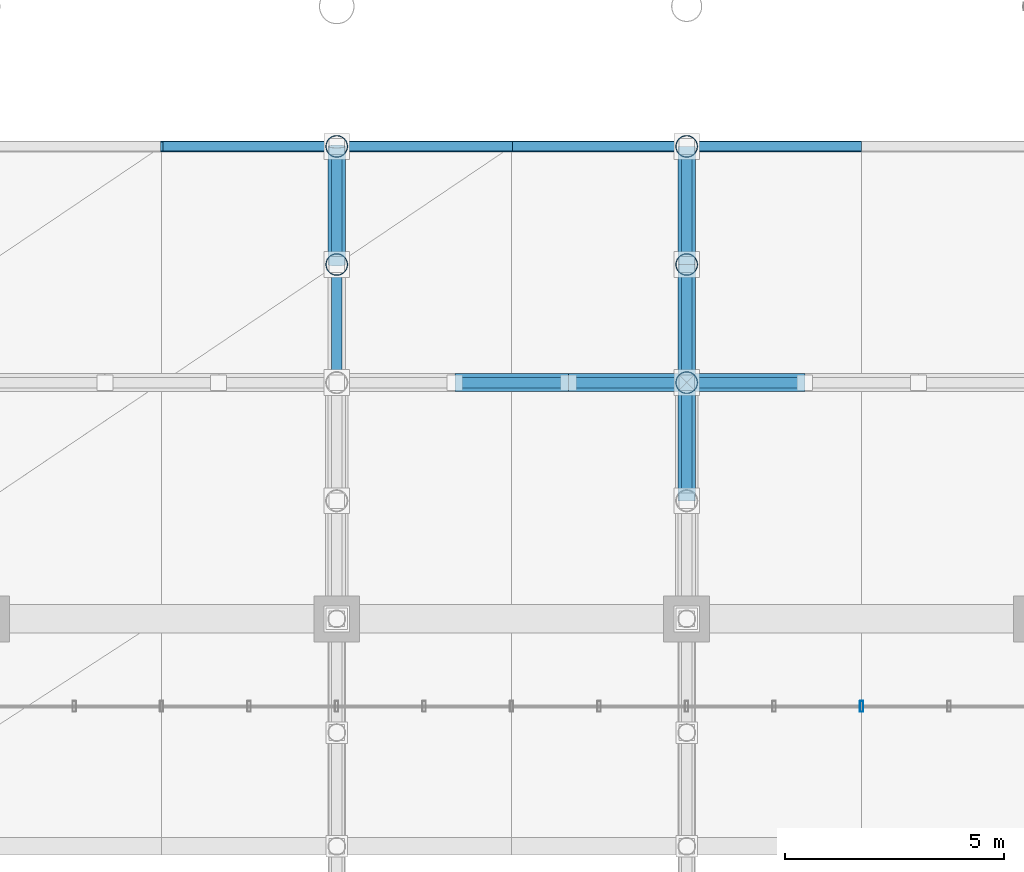
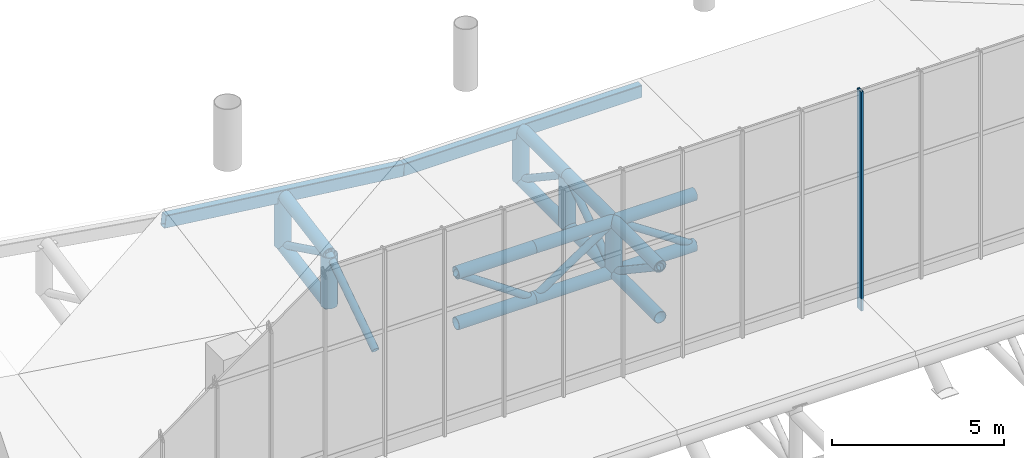
# One storey, part 51 of 137: 28 members, 2 beams, 1 element without a shape of its own.
"""IFC4 building model written with IfcOpenShell, lengths in metres."""

from ifc_helpers import new_model, si_unit, direction, frame, origin, origin_2d, place, context, subcontext, project, spatial, hollow_rectangle, hollow_circle, extrude, material, layer, layer_set, material_profile, profile_set, type_object, element, aggregate, save


model = new_model("IFC4")

# Units and contexts
model_context = context("Model", 3, precision=1e-05, world=origin(), true_north=direction((0.0, 1.0)))
body_context = subcontext(model_context, "Body", "Model", "MODEL_VIEW")
ifc_project = project(units=[si_unit("LENGTHUNIT", "METRE"), si_unit("AREAUNIT", "SQUARE_METRE"), si_unit("VOLUMEUNIT", "CUBIC_METRE"), si_unit("PLANEANGLEUNIT", "RADIAN"), si_unit("MASSUNIT", "GRAM", prefix="KILO")], contexts=[model_context])

# Site, building, storey
site_placement = place(None, origin())
site = spatial("IfcSite", under=ifc_project, at=site_placement, CompositionType="ELEMENT")
building_placement = place(site_placement, origin())
building = spatial("IfcBuilding", under=site, at=building_placement, Name="Khorjan Park Terminus", CompositionType="ELEMENT")
storey_placement = place(building_placement, frame((0.0, 0.0, 11.4)))
storey = spatial("IfcBuildingStorey", under=building, at=storey_placement, Name="L02", CompositionType="ELEMENT", Elevation=11.4)

# Members
ifc_material_1 = material(Name="Steel S355", Category="steel")
ifc_material_profile_1 = material_profile(ifc_material_1, hollow_circle(Radius=0.1222, WallThickness=0.0125, at=origin_2d()), Name="CHS 244.5x12.5")
ifc_profile_set_1 = profile_set([ifc_material_profile_1], Name="Steel S355")
member_type_1 = type_object("IfcMemberType", Name="MB-BRE-245", PredefinedType="BRACE", material=ifc_profile_set_1)
member_1_placement = place(storey_placement, frame((80.0, 93.4, -1.408), z_axis=(0.0, 0.832050294338, 0.554700196225), x_axis=(-1.0, 0.0, 0.0)))
element("IfcMember", 1, at=member_1_placement, inside=storey, type_object=member_type_1, Name="Lower shell cantilever truss diagonal (5N)", PredefinedType="BRACE", context=body_context, shape_type="SweptSolid", body=[
    extrude(hollow_circle(Radius=0.1222, WallThickness=0.0125, at=origin_2d()), origin(), (0.0, 0.0, 1.0), 3.245),
])
member_2_placement = place(storey_placement, frame((80.0, 96.1, 0.392), z_axis=(0.0, 0.898489379818, -0.438995255502), x_axis=(-1.0, 0.0, 0.0)))
element("IfcMember", 2, at=member_2_placement, inside=storey, type_object=member_type_1, Name="Lower shell cantilever truss diagonal (5N)", PredefinedType="BRACE", context=body_context, shape_type="SweptSolid", body=[
    extrude(hollow_circle(Radius=0.1222, WallThickness=0.0125, at=origin_2d()), origin(), (0.0, 0.0, 1.0), 3.005),
])
for number, where, z_axis, x_axis, name in (
    (3, (88.0, 90.7, 0.392), (0.0, 0.832050294338, -0.554700196225), (-1.0, 0.0, 0.0), "Lower shell cantilever truss diagonal (6N)"),
    (4, (88.0, 93.4, -1.408), (0.0, 0.832050294338, 0.554700196225), (-1.0, 0.0, 0.0), "Lower shell cantilever truss diagonal (6N)"),
    (5, (88.0, 96.1, 0.392), (0.0, 0.832050294338, -0.554700196225), (-1.0, 0.0, 0.0), "Lower shell cantilever truss diagonal (6N)"),
):
    element("IfcMember", number, at=place(storey_placement, frame(where, z_axis=z_axis, x_axis=x_axis)), inside=storey, type_object=member_type_1, Name=name, PredefinedType="BRACE", context=body_context, shape_type="SweptSolid", body=[
        extrude(hollow_circle(Radius=0.1222, WallThickness=0.0125, at=origin_2d()), origin(), (0.0, 0.0, 1.0), 3.245),
    ])
member_3_placement = place(storey_placement, frame((82.7, 93.4, 0.392), z_axis=(0.822192191644, 0.0, -0.56920997883), x_axis=(0.0, 1.0, 0.0)))
element("IfcMember", 6, at=member_3_placement, inside=storey, type_object=member_type_1, Name="Lower shell mid-ring diagonal (N18)", PredefinedType="BRACE", context=body_context, shape_type="SweptSolid", body=[
    extrude(hollow_circle(Radius=0.1222, WallThickness=0.0125, at=origin_2d()), origin(), (0.0, 0.0, 1.0), 3.1623),
])
for number, where, z_axis, x_axis, name in (
    (7, (85.3, 93.4, -1.408), (0.832050294338, 0.0, 0.554700196225), (0.0, 1.0, 0.0), "Lower shell mid-ring diagonal (N19)"),
    (8, (88.0, 93.4, 0.392), (0.832050294338, 0.0, -0.554700196225), (0.0, 1.0, 0.0), "Lower shell mid-ring diagonal (N20)"),
):
    element("IfcMember", number, at=place(storey_placement, frame(where, z_axis=z_axis, x_axis=x_axis)), inside=storey, type_object=member_type_1, Name=name, PredefinedType="BRACE", context=body_context, shape_type="SweptSolid", body=[
        extrude(hollow_circle(Radius=0.1222, WallThickness=0.0125, at=origin_2d()), origin(), (0.0, 0.0, 1.0), 3.245),
    ])
ifc_material_profile_2 = material_profile(ifc_material_1, hollow_circle(Radius=0.2032, WallThickness=0.016, at=origin_2d()), Name="CHS 406.4x16")
ifc_profile_set_2 = profile_set([ifc_material_profile_2], Name="Steel S355")
member_type_2 = type_object("IfcMemberType", Name="MB-CHE-406", PredefinedType="CHORD", material=ifc_profile_set_2)
for number, where, z_axis, x_axis, name in (
    (9, (80.0, 96.1, 0.392), (0.0, 0.98451219689, 0.175316097876), (-1.0, 0.0, 0.0), "Lower shell cantilever truss top chord (5N)"),
    (10, (80.0, 96.1, -1.408), (0.0, 0.98451219689, 0.175316097876), (-1.0, 0.0, 0.0), "Lower shell cantilever truss bottom chord (5N)"),
):
    element("IfcMember", number, at=place(storey_placement, frame(where, z_axis=z_axis, x_axis=x_axis)), inside=storey, type_object=member_type_2, Name=name, PredefinedType="CHORD", context=body_context, shape_type="SweptSolid", body=[
        extrude(hollow_circle(Radius=0.2032, WallThickness=0.016, at=origin_2d()), origin(), (0.0, 0.0, 1.0), 2.7425),
    ])
for number, where, z_axis, x_axis, name in (
    (11, (88.0, 90.7, 0.392), (0.0, 1.0, 0.0), (-1.0, 0.0, 0.0), "Lower shell cantilever truss top chord (6N)"),
    (12, (88.0, 90.7, -1.408), (0.0, 1.0, 0.0), (-1.0, 0.0, 0.0), "Lower shell cantilever truss bottom chord (6N)"),
    (13, (88.0, 93.4, 0.392), (0.0, 1.0, 0.0), (-1.0, 0.0, 0.0), "Lower shell cantilever truss top chord (6N)"),
    (14, (88.0, 93.4, -1.408), (0.0, 1.0, 0.0), (-1.0, 0.0, 0.0), "Lower shell cantilever truss bottom chord (6N)"),
    (15, (88.0, 96.1, 0.392), (0.0, 1.0, 0.0), (-1.0, 0.0, 0.0), "Lower shell cantilever truss top chord (6N)"),
    (16, (88.0, 96.1, -1.408), (0.0, 1.0, 0.0), (-1.0, 0.0, 0.0), "Lower shell cantilever truss bottom chord (6N)"),
):
    element("IfcMember", number, at=place(storey_placement, frame(where, z_axis=z_axis, x_axis=x_axis)), inside=storey, type_object=member_type_2, Name=name, PredefinedType="CHORD", context=body_context, shape_type="SweptSolid", body=[
        extrude(hollow_circle(Radius=0.2032, WallThickness=0.016, at=origin_2d()), origin(), (0.0, 0.0, 1.0), 2.7),
    ])
for number, where, z_axis, x_axis, name in (
    (17, (82.7, 93.4, 0.392), (1.0, 0.0, 0.0), (0.0, 1.0, 0.0), "Lower shell mid-ring top chord (N18)"),
    (18, (82.7, 93.4, -1.408), (1.0, 0.0, 0.0), (0.0, 1.0, 0.0), "Lower shell mid-ring bottom chord (N18)"),
):
    element("IfcMember", number, at=place(storey_placement, frame(where, z_axis=z_axis, x_axis=x_axis)), inside=storey, type_object=member_type_2, Name=name, PredefinedType="CHORD", context=body_context, shape_type="SweptSolid", body=[
        extrude(hollow_circle(Radius=0.2032, WallThickness=0.016, at=origin_2d()), origin(), (0.0, 0.0, 1.0), 2.6),
    ])
for number, where, z_axis, x_axis, name in (
    (19, (85.3, 93.4, 0.392), (1.0, 0.0, 0.0), (0.0, 1.0, 0.0), "Lower shell mid-ring top chord (N19)"),
    (20, (85.3, 93.4, -1.408), (1.0, 0.0, 0.0), (0.0, 1.0, 0.0), "Lower shell mid-ring bottom chord (N19)"),
    (21, (88.0, 93.4, 0.392), (1.0, 0.0, 0.0), (0.0, 1.0, 0.0), "Lower shell mid-ring top chord (N20)"),
    (22, (88.0, 93.4, -1.408), (1.0, 0.0, 0.0), (0.0, 1.0, 0.0), "Lower shell mid-ring bottom chord (N20)"),
):
    element("IfcMember", number, at=place(storey_placement, frame(where, z_axis=z_axis, x_axis=x_axis)), inside=storey, type_object=member_type_2, Name=name, PredefinedType="CHORD", context=body_context, shape_type="SweptSolid", body=[
        extrude(hollow_circle(Radius=0.2032, WallThickness=0.016, at=origin_2d()), origin(), (0.0, 0.0, 1.0), 2.7),
    ])
ifc_material_profile_3 = material_profile(ifc_material_1, hollow_circle(Radius=0.254, WallThickness=0.02, at=origin_2d()), Name="CHS 508x20")
ifc_profile_set_3 = profile_set([ifc_material_profile_3], Name="Steel S355")
member_type_3 = type_object("IfcMemberType", Name="MB-STE-508", PredefinedType="STRUT", material=ifc_profile_set_3)
for number, where, z_axis, x_axis, name in (
    (23, (80.0, 96.1, -1.408), (0.0, 0.0, 1.0), (1.0, 0.0, 0.0), "Lower shell cantilever truss post (5N)"),
    (24, (80.0, 98.8, -0.9272), (0.0, 0.0, 1.0), (1.0, 0.0, 0.0), "Lower shell cantilever truss post (5N)"),
    (25, (88.0, 93.4, -1.408), (0.0, 0.0, 1.0), (1.0, 0.0, 0.0), "Lower shell cantilever truss post (6N)"),
    (26, (88.0, 96.1, -1.408), (0.0, 0.0, 1.0), (1.0, 0.0, 0.0), "Lower shell cantilever truss post (6N)"),
    (27, (88.0, 98.8, -1.408), (0.0, 0.0, 1.0), (1.0, 0.0, 0.0), "Lower shell cantilever truss post (6N)"),
):
    element("IfcMember", number, at=place(storey_placement, frame(where, z_axis=z_axis, x_axis=x_axis)), inside=storey, type_object=member_type_3, Name=name, PredefinedType="STRUT", context=body_context, shape_type="SweptSolid", body=[
        extrude(hollow_circle(Radius=0.254, WallThickness=0.02, at=origin_2d()), origin(), (0.0, 0.0, 1.0), 1.8),
    ])

# Curtain wall, member
ifc_material_2 = material(Name="Anodized Bronze Aluminium", Category="aluminium")
ifc_layer = layer(ifc_material_2, 0.22)
ifc_layer_set = layer_set([ifc_layer], Name="Anodized Bronze Aluminium")
curtain_wall_type = type_object("IfcCurtainWallType", Name="CW-CONC-CLR", PredefinedType="NOTDEFINED", material=ifc_layer_set)
curtain_wall_placement = place(storey_placement, origin())
curtain_wall = element("IfcCurtainWall", 28, at=curtain_wall_placement, inside=storey, type_object=curtain_wall_type, Name="Unitized curtain wall CW-CL (CW-V2-N-CLR-04)", PredefinedType="NOTDEFINED")
ifc_material_profile_4 = material_profile(ifc_material_2, hollow_rectangle(XDim=0.08, YDim=0.25, WallThickness=0.005, InnerFilletRadius=0.005, OuterFilletRadius=0.01, at=origin_2d()), Name="ALM 80x250x5")
ifc_profile_set_4 = profile_set([ifc_material_profile_4], Name="Anodized Bronze Aluminium")
member_type_4 = type_object("IfcMemberType", Name="ML-ALM-250", PredefinedType="MULLION", material=ifc_profile_set_4)
member_4_placement = place(storey_placement, frame((92.0, 86.0, 0.345), z_axis=(0.0, 0.0, 1.0), x_axis=(-1.0, 0.0, 0.0)))
member_4 = element("IfcMember", 29, at=member_4_placement, type_object=member_type_4, Name="Curtain-wall mullion ML-25 (CW-V2-N-CLR-04-0)", PredefinedType="MULLION", context=body_context, shape_type="SweptSolid", body=[
    extrude(hollow_rectangle(XDim=0.08, YDim=0.25, WallThickness=0.005, InnerFilletRadius=0.005, OuterFilletRadius=0.01, at=origin_2d()), origin(), (0.0, 0.0, 1.0), 7.7782),
])
aggregate(curtain_wall, [member_4])

# Beams
ifc_material_profile_5 = material_profile(ifc_material_1, hollow_rectangle(XDim=0.25, YDim=0.45, WallThickness=0.016, InnerFilletRadius=0.016, OuterFilletRadius=0.032, at=origin_2d()), Name="RHS 450x250x16")
ifc_profile_set_5 = profile_set([ifc_material_profile_5], Name="Steel S355")
beam_type = type_object("IfcBeamType", Name="SP-RHS450", PredefinedType="SPANDREL", material=ifc_profile_set_5)
beam_1_placement = place(storey_placement, frame((76.0, 98.8, 1.3316), z_axis=(0.992853328969, 0.0, -0.119340970142), x_axis=(0.0, 1.0, 0.0)))
element("IfcBeam", 30, at=beam_1_placement, inside=storey, type_object=beam_type, Name="Lower wrapping shell upturned edge beam SP-R45 (23)", PredefinedType="SPANDREL", context=body_context, shape_type="SweptSolid", body=[
    extrude(hollow_rectangle(XDim=0.25, YDim=0.45, WallThickness=0.016, InnerFilletRadius=0.016, OuterFilletRadius=0.032, at=origin_2d()), origin(), (0.0, 0.0, 1.0), 8.0576),
])
beam_2_placement = place(storey_placement, frame((84.0, 98.8, 0.37), z_axis=(1.0, 0.0, 0.0), x_axis=(0.0, 1.0, 0.0)))
element("IfcBeam", 31, at=beam_2_placement, inside=storey, type_object=beam_type, Name="Lower wrapping shell upturned edge beam SP-R45 (24)", PredefinedType="SPANDREL", context=body_context, shape_type="SweptSolid", body=[
    extrude(hollow_rectangle(XDim=0.25, YDim=0.45, WallThickness=0.016, InnerFilletRadius=0.016, OuterFilletRadius=0.032, at=origin_2d()), origin(), (0.0, 0.0, 1.0), 8.0),
])

save(model, "model.ifc")
